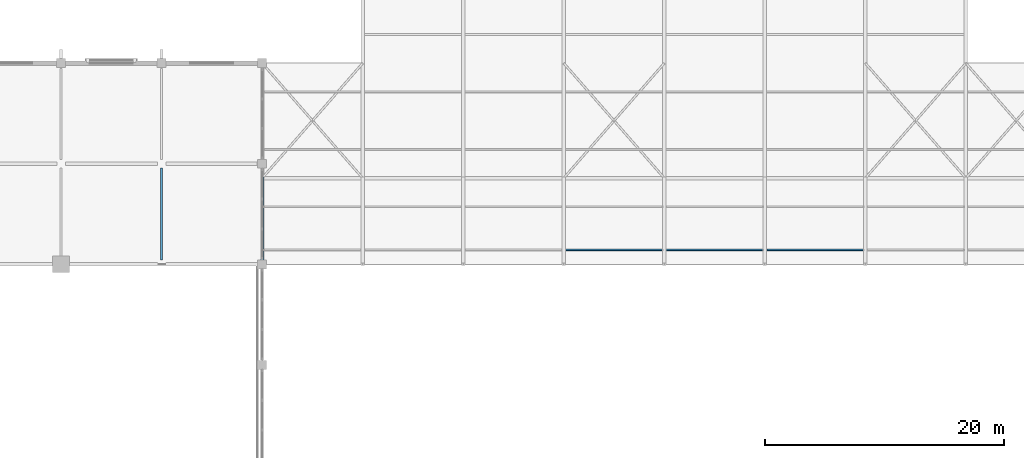
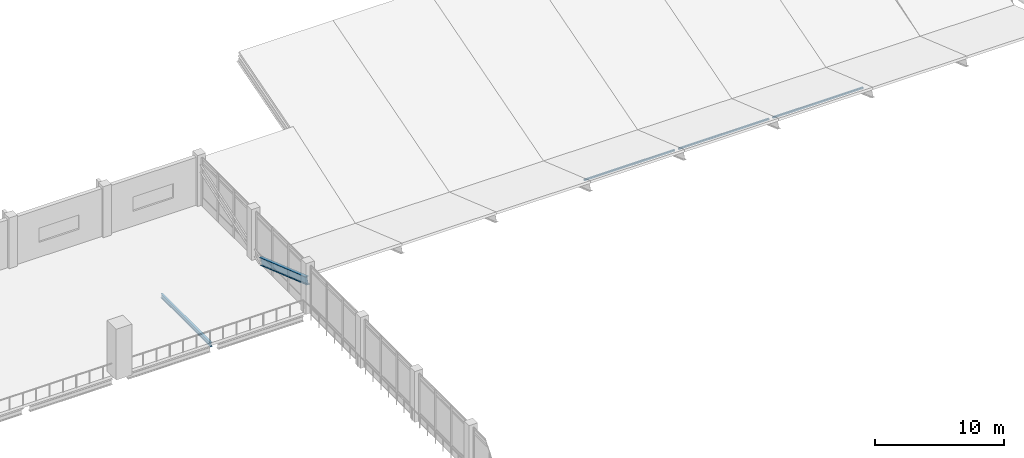
# One storey, part 15 of 110: 3 members, 2 beams.
"""IFC4 building model written with IfcOpenShell, lengths in metres."""

from ifc_helpers import new_model, si_unit, direction, frame, origin, origin_2d, place, context, subcontext, project, spatial, hollow_rectangle, i_section, extrude, material, material_profile, profile_set, type_object, element, save


model = new_model("IFC4")

# Units and contexts
model_context = context("Model", 3, precision=1e-05, world=origin(), true_north=direction((0.0, 1.0)))
body_context = subcontext(model_context, "Body", "Model", "MODEL_VIEW")
ifc_project = project(units=[si_unit("LENGTHUNIT", "METRE"), si_unit("AREAUNIT", "SQUARE_METRE"), si_unit("VOLUMEUNIT", "CUBIC_METRE"), si_unit("PLANEANGLEUNIT", "RADIAN"), si_unit("MASSUNIT", "GRAM", prefix="KILO")], contexts=[model_context])

# Site, building, storey
site_placement = place(None, origin())
site = spatial("IfcSite", under=ifc_project, at=site_placement, CompositionType="ELEMENT")
building_placement = place(site_placement, origin())
building = spatial("IfcBuilding", under=site, at=building_placement, Name="Qawsi Khor Wholesale Market", CompositionType="ELEMENT")
storey_placement = place(building_placement, frame((0.0, 0.0, 11.39990234375)))
storey = spatial("IfcBuildingStorey", under=building, at=storey_placement, Name="L02", CompositionType="ELEMENT", Elevation=11.39990234375)

# Members
ifc_material = material(Name="Steel S355", Category="steel")
ifc_material_profile_1 = material_profile(ifc_material, hollow_rectangle(XDim=0.14990234375, YDim=0.14990234375, WallThickness=0.008056640625, InnerFilletRadius=0.008056640625, OuterFilletRadius=0.01611328125, at=origin_2d()), Name="SHS 150x150x8.0")
ifc_profile_set_1 = profile_set([ifc_material_profile_1], Name="Steel S355")
member_type = type_object("IfcMemberType", Name="Auction Shed Purlin SHS 150x150x8.0", PredefinedType="PURLIN", material=ifc_profile_set_1)
member_placement = place(storey_placement, frame((100.9619140625, 93.60009765625, 2.7333984375), z_axis=(1.0, 0.0, 0.0), x_axis=(0.0, 1.0, 0.0)))
element("IfcMember", 1, at=member_placement, inside=storey, type_object=member_type, Name="Auction Roof Purlin 13-1", PredefinedType="PURLIN", context=body_context, shape_type="SweptSolid", body=[
    extrude(hollow_rectangle(XDim=0.14990234375, YDim=0.14990234375, WallThickness=0.008056640625, InnerFilletRadius=0.008056640625, OuterFilletRadius=0.01611328125, at=origin_2d()), origin(), (0.0, 0.0, 1.0), 8.076171875),
])
for number, where, z_axis, x_axis, name in (
    (2, (109.362060546875, 93.60009765625, 2.7333984375), (1.0, 0.0, 0.0), (0.0, 1.0, 0.0), "Auction Roof Purlin 14-1"),
    (3, (117.761962890625, 93.60009765625, 2.7333984375), (1.0, 0.0, 0.0), (0.0, 1.0, 0.0), "Auction Roof Purlin 15-1"),
):
    element("IfcMember", number, at=place(storey_placement, frame(where, z_axis=z_axis, x_axis=x_axis)), inside=storey, type_object=member_type, Name=name, PredefinedType="PURLIN", context=body_context, shape_type="SweptSolid", body=[
        extrude(hollow_rectangle(XDim=0.14990234375, YDim=0.14990234375, WallThickness=0.008056640625, InnerFilletRadius=0.008056640625, OuterFilletRadius=0.01611328125, at=origin_2d()), origin(), (0.0, 0.0, 1.0), 8.075927734375),
    ])

# Beams
ifc_material_profile_2 = material_profile(ifc_material, i_section(OverallWidth=0.300048828125, OverallDepth=0.68994140625, WebThickness=0.014404296875, FlangeThickness=0.027099609375, FilletRadius=0.027099609375, at=origin_2d()), Name="HEA 700")
ifc_profile_set_2 = profile_set([ifc_material_profile_2], Name="Steel S355")
beam_type_1 = type_object("IfcBeamType", Name="Primary Girder HEA 700", PredefinedType="BEAM", material=ifc_profile_set_2)
beam_1_placement = place(storey_placement, frame((75.60009765625, 92.39990234375, 2.85009765625), z_axis=(0.0, 0.944676421269, -0.328003748603), x_axis=(-1.0, 0.0, 0.0)))
element("IfcBeam", 4, at=beam_1_placement, inside=storey, type_object=beam_type_1, Name="Auction Butterfly Rafter South Grid 10", PredefinedType="BEAM", context=body_context, shape_type="SweptSolid", body=[
    extrude(i_section(OverallWidth=0.300048828125, OverallDepth=0.68994140625, WebThickness=0.014404296875, FlangeThickness=0.027099609375, FilletRadius=0.027099609375, at=origin_2d()), origin(), (0.0, 0.0, 1.0), 7.621826171875),
])
ifc_material_profile_3 = material_profile(ifc_material, i_section(OverallWidth=0.179931640625, OverallDepth=0.39990234375, WebThickness=0.008544921875, FlangeThickness=0.013427734375, FilletRadius=0.02099609375, at=origin_2d()), Name="IPE 400")
ifc_profile_set_3 = profile_set([ifc_material_profile_3], Name="Steel S355")
beam_type_2 = type_object("IfcBeamType", Name="Secondary Beam IPE 400", PredefinedType="BEAM", material=ifc_profile_set_3)
beam_2_placement = place(storey_placement, frame((67.199951171875, 92.75, -0.469970703125), z_axis=(0.0, 1.0, 0.0), x_axis=(-1.0, 0.0, 0.0)))
element("IfcBeam", 5, at=beam_2_placement, inside=storey, type_object=beam_type_2, Name="BM-Y-L02-08_+11", PredefinedType="BEAM", context=body_context, shape_type="SweptSolid", body=[
    extrude(i_section(OverallWidth=0.179931640625, OverallDepth=0.39990234375, WebThickness=0.008544921875, FlangeThickness=0.013427734375, FilletRadius=0.02099609375, at=origin_2d()), origin(), (0.0, 0.0, 1.0), 7.699951171875),
])

save(model, "model.ifc")
